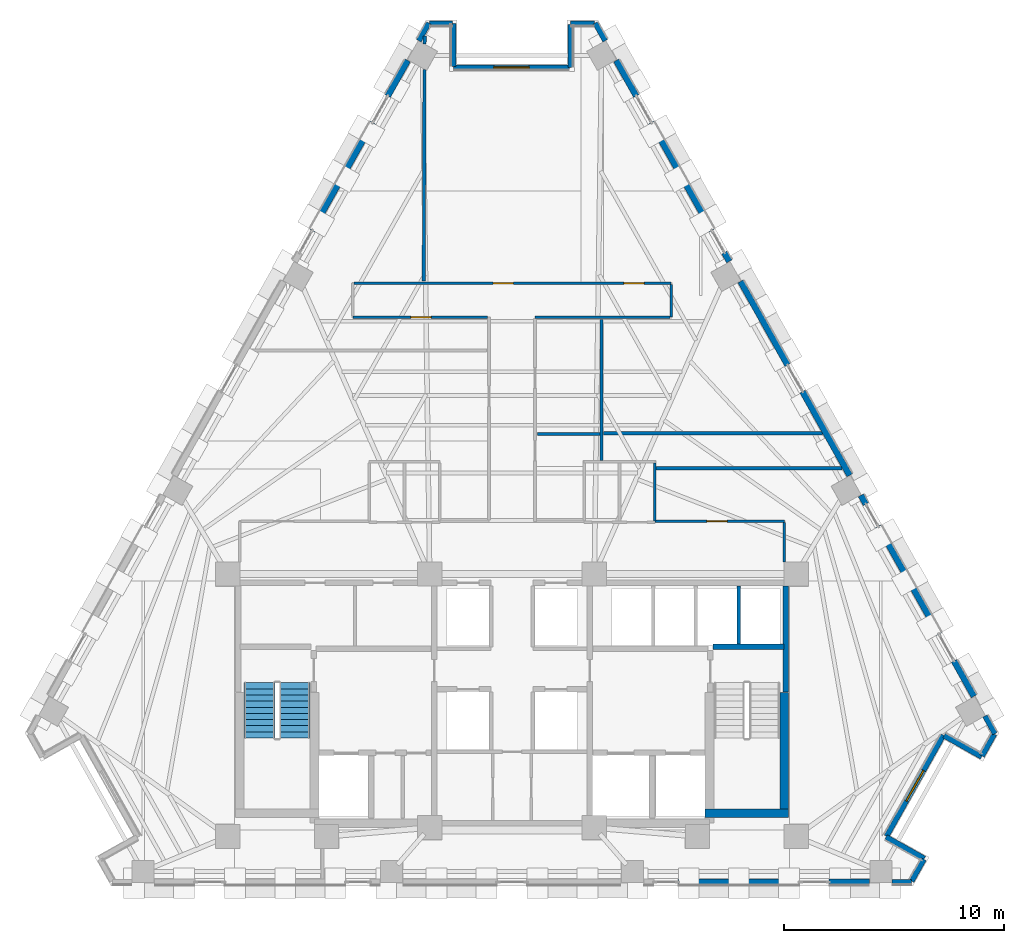
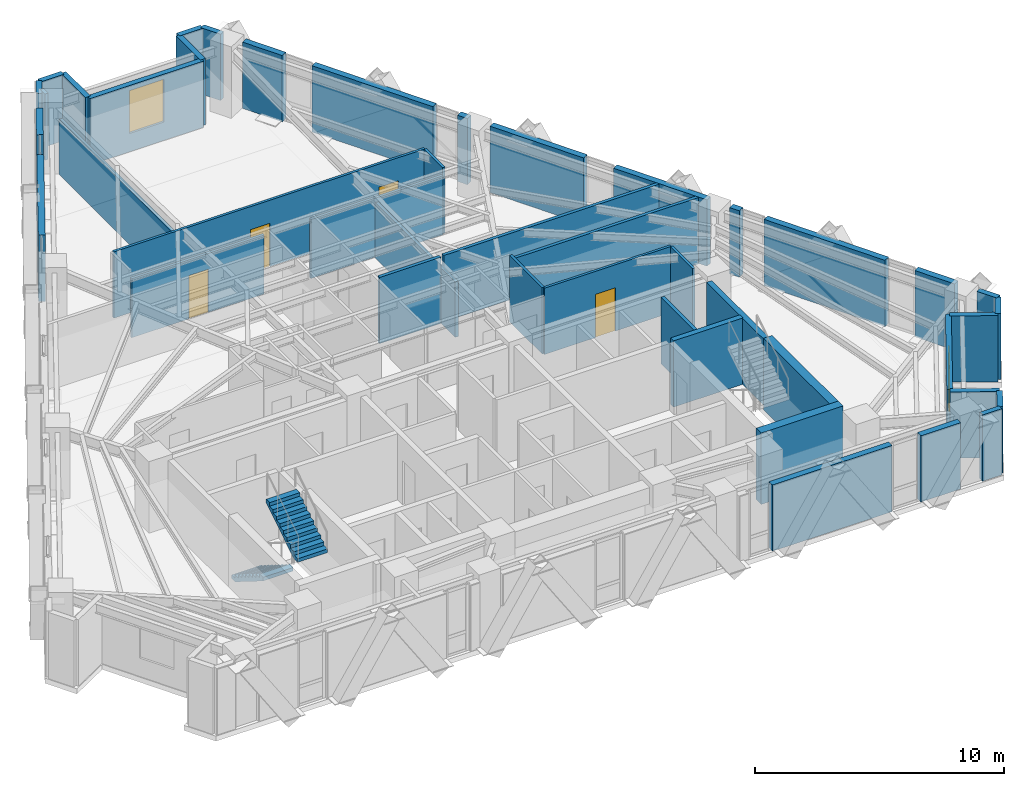
# One storey, part 9 of 14: 44 walls, 4 doors, 2 stair flights, 2 windows, 6 openings, 1 element without a shape of its own.
"""IFC4 building model written with IfcOpenShell, lengths in metres."""

import ifcopenshell
import ifcopenshell.guid

model = None  # the IFC model being written
_history = None  # IfcOwnerHistory: only IFC2X3 demands one
_inside = {}  # id of a spatial element -> (the spatial element, [elements in it])
_under = {}  # id of a project, library or spatial element -> (it, [spatial elements below it])
_declared = {}  # id of a project -> (the project, [libraries it declares])
_typed = {}  # id of a type object -> (the type object, [elements of that type])
_made_of = {}  # id of a material, layer set ... -> (it, [elements and type objects made of it])


def new_model(schema):
    """Start an empty IFC model of exactly this schema.

    Asked for "IFC4X3", IfcOpenShell would pick the latest addendum, in which some entities
    have other attributes; the version numbers below select the first issue.
    IFC2X3 requires an IfcOwnerHistory on every rooted entity: one is made here for all.
    """
    global model, _history
    if schema == "IFC4X3":
        model = ifcopenshell.file(schema_version=(4, 3, 0, 0))
    else:
        model = ifcopenshell.file(schema=schema)
    _inside.clear()
    _under.clear()
    _declared.clear()
    _typed.clear()
    _made_of.clear()
    _history = None
    if model.schema == "IFC2X3":
        org = make("IfcOrganization", Name="unknown")
        user = make(
            "IfcPersonAndOrganization",
            ThePerson=make("IfcPerson", FamilyName="unknown"),
            TheOrganization=org,
        )
        app = make(
            "IfcApplication",
            ApplicationDeveloper=org,
            Version="unknown",
            ApplicationFullName="unknown",
            ApplicationIdentifier="unknown",
        )
        _history = make(
            "IfcOwnerHistory",
            OwningUser=user,
            OwningApplication=app,
            ChangeAction="ADDED",
            CreationDate=0,
        )
    return model


def make(cls, **values):
    """One entity of the class cls with the attributes given. An attribute that is None is left unset."""
    return model.create_entity(
        cls, **{name: value for name, value in values.items() if value is not None}
    )


def rooted(cls, **values):
    """An entity with a GlobalId (a new one), such as an element, a storey or a relation."""
    return make(cls, GlobalId=ifcopenshell.guid.new(), OwnerHistory=_history, **values)


def si_unit(unit_type, name, prefix=None):
    """IfcSIUnit, for example si_unit("LENGTHUNIT", "METRE", prefix="MILLI")."""
    return make("IfcSIUnit", UnitType=unit_type, Prefix=prefix, Name=name)


def assignment(units):
    """IfcUnitAssignment: the units of a project."""
    return None if units is None else make("IfcUnitAssignment", Units=units)


def point(xyz):
    """IfcCartesianPoint."""
    return None if xyz is None else make("IfcCartesianPoint", Coordinates=xyz)


def direction(xyz):
    """IfcDirection."""
    return None if xyz is None else make("IfcDirection", DirectionRatios=xyz)


def frame(location, z_axis=None, x_axis=None):
    """IfcAxis2Placement3D, a coordinate frame: its origin and axes. An axis left out is left unset."""
    return make(
        "IfcAxis2Placement3D",
        Location=point(location),
        Axis=direction(z_axis),
        RefDirection=direction(x_axis),
    )


def frame_2d(location, x_axis=None):
    """IfcAxis2Placement2D, a coordinate frame in the plane: its origin and x axis."""
    return make(
        "IfcAxis2Placement2D", Location=point(location), RefDirection=direction(x_axis)
    )


def origin():
    """The frame at (0, 0, 0) with its axes left unset."""
    return frame((0.0, 0.0, 0.0))


def place(relative_to, where):
    """IfcLocalPlacement: puts the frame where relative to a parent placement (None: the world)."""
    return make(
        "IfcLocalPlacement", PlacementRelTo=relative_to, RelativePlacement=where
    )


def context(
    kind, dimensions, precision=None, world=None, true_north=None, identifier=None
):
    """IfcGeometricRepresentationContext, for example the 3D "Model" context."""
    return make(
        "IfcGeometricRepresentationContext",
        ContextIdentifier=identifier,
        ContextType=kind,
        CoordinateSpaceDimension=dimensions,
        Precision=precision,
        WorldCoordinateSystem=world,
        TrueNorth=true_north,
    )


def subcontext(parent, identifier, kind, view, scale=None):
    """IfcGeometricRepresentationSubContext, for example "Body" below "Model"."""
    return make(
        "IfcGeometricRepresentationSubContext",
        ContextIdentifier=identifier,
        ContextType=kind,
        ParentContext=parent,
        TargetScale=scale,
        TargetView=view,
    )


def project(units=None, contexts=None):
    """IfcProject with its units and contexts."""
    return rooted(
        "IfcProject",
        Name="project",
        RepresentationContexts=contexts,
        UnitsInContext=assignment(units),
    )


def spatial(cls, under=None, at=None, **own):
    """A site, building, storey or space (cls), placed at a placement, below another one or the project."""
    s = rooted(cls, ObjectPlacement=at, **own)
    if under is not None:
        _under.setdefault(under.id(), (under, []))[1].append(s)
    return s


def polyline(points):
    """IfcPolyline through the points."""
    return make("IfcPolyline", Points=[point(p) for p in points])


def profile(cls, at=None, kind="AREA", **sizes):
    """A parametric profile (cls). Its sizes go by their IFC names, for example OverallWidth=200.0."""
    return make(cls, ProfileType=kind, Position=at, **sizes)


def rectangle(**sizes):
    """IfcRectangleProfileDef."""
    return profile("IfcRectangleProfileDef", **sizes)


def outline(outer, holes=None, kind="AREA"):
    """IfcArbitraryClosedProfileDef: a profile drawn as a closed curve; with holes, ...WithVoids."""
    if holes is None:
        return make("IfcArbitraryClosedProfileDef", ProfileType=kind, OuterCurve=outer)
    return make(
        "IfcArbitraryProfileDefWithVoids",
        ProfileType=kind,
        OuterCurve=outer,
        InnerCurves=holes,
    )


def extrude(swept, where, along, depth):
    """IfcExtrudedAreaSolid: the profile swept, set in the frame where, extruded along a direction by depth."""
    return make(
        "IfcExtrudedAreaSolid",
        SweptArea=swept,
        Position=where,
        ExtrudedDirection=direction(along),
        Depth=depth,
    )


def shape(context_of_items, identifier, shape_type, items):
    """IfcShapeRepresentation: the items that make up one representation, for example the "Body"."""
    return make(
        "IfcShapeRepresentation",
        ContextOfItems=context_of_items,
        RepresentationIdentifier=identifier,
        RepresentationType=shape_type,
        Items=items,
    )


def material(Name=None, Category=None):
    """IfcMaterial."""
    return make("IfcMaterial", Name=Name, Category=Category)


def layer(
    of_material, thickness, ventilated=None, Name=None, Category=None, Priority=None
):
    """IfcMaterialLayer: one layer of a wall or slab, of a material (None: an air gap)."""
    return make(
        "IfcMaterialLayer",
        Material=of_material,
        LayerThickness=thickness,
        IsVentilated=ventilated,
        Name=Name,
        Category=Category,
        Priority=Priority,
    )


def layer_set(layers, Name=None):
    """IfcMaterialLayerSet."""
    return make("IfcMaterialLayerSet", MaterialLayers=layers, LayerSetName=Name)


def made_of(thing, what):
    """Note that an element or type object is made of a material, layer set ...; save() writes the relation."""
    if what is not None:
        _made_of.setdefault(what.id(), (what, []))[1].append(thing)
    return thing


def type_object(cls, material=None, **own):
    """A type object (cls), such as IfcWallType, which elements share."""
    return made_of(rooted(cls, **own), material)


def element(
    cls,
    number,
    at=None,
    inside=None,
    cuts=None,
    type_object=None,
    material=None,
    context=None,
    identifier="Body",
    shape_type=None,
    held_by="IfcProductDefinitionShape",
    body=None,
    shapes=None,
    **own,
):
    """One element of the class cls, such as IfcWall. Its Tag is "e" and its number.

    at: its placement. inside: the storey or other place that contains it. cuts: it is an
    opening in that element (IfcRelVoidsElement). A single representation is given by context,
    identifier, shape_type and body (its items); several are given by shapes. held_by: the class
    of the entity that holds the representations. save() writes the other relations.
    """
    e = rooted(cls, Tag="e%d" % number, ObjectPlacement=at, **own)
    if body is not None:
        shapes = [shape(context, identifier, shape_type, body)]
    if shapes is not None:
        e.Representation = make(held_by, Representations=shapes)
    if inside is not None:
        _inside.setdefault(inside.id(), (inside, []))[1].append(e)
    if cuts is not None:
        rooted(
            "IfcRelVoidsElement", RelatingBuildingElement=cuts, RelatedOpeningElement=e
        )
    if type_object is not None:
        _typed.setdefault(type_object.id(), (type_object, []))[1].append(e)
    return made_of(e, material)


def fill(opening, filler):
    """IfcRelFillsElement: the door or window that sits in an opening."""
    return rooted(
        "IfcRelFillsElement",
        RelatingOpeningElement=opening,
        RelatedBuildingElement=filler,
    )


def aggregate(whole, parts):
    """IfcRelAggregates: a whole, such as a stair, and the parts it consists of."""
    return rooted("IfcRelAggregates", RelatingObject=whole, RelatedObjects=parts)


def save(model, path):
    """Write the relations noted so far, then the file.

    IfcRelAggregates (storeys below a building ...), IfcRelContainedInSpatialStructure (elements
    in a storey), IfcRelDefinesByType, IfcRelAssociatesMaterial and IfcRelDeclares: one each for
    every whole, place, type object, material and project.
    """
    for whole, parts in _under.values():
        aggregate(whole, parts)
    for where, things in _inside.values():
        rooted(
            "IfcRelContainedInSpatialStructure",
            RelatedElements=things,
            RelatingStructure=where,
        )
    for kind, things in _typed.values():
        rooted("IfcRelDefinesByType", RelatedObjects=things, RelatingType=kind)
    for what, things in _made_of.values():
        rooted("IfcRelAssociatesMaterial", RelatedObjects=things, RelatingMaterial=what)
    for by, libraries in _declared.values():
        rooted("IfcRelDeclares", RelatingContext=by, RelatedDefinitions=libraries)
    model.write(path)


model = new_model("IFC4")

# Units and contexts
model_context = context("Model", 3, precision=1e-05, world=origin(), true_north=direction((0.0, 1.0)))
body_context = subcontext(model_context, "Body", "Model", "MODEL_VIEW")
ifc_project = project(units=[si_unit("LENGTHUNIT", "METRE"), si_unit("AREAUNIT", "SQUARE_METRE"), si_unit("VOLUMEUNIT", "CUBIC_METRE"), si_unit("PLANEANGLEUNIT", "RADIAN"), si_unit("MASSUNIT", "GRAM", prefix="KILO")], contexts=[model_context])

# Site, building, storey
site_placement = place(None, origin())
site = spatial("IfcSite", under=ifc_project, at=site_placement, CompositionType="ELEMENT")
building_placement = place(site_placement, origin())
building = spatial("IfcBuilding", under=site, at=building_placement, Name="Quenlor Broadcast Tower", CompositionType="ELEMENT")
storey_placement = place(building_placement, frame((0.0, 0.0, 168.5)))
storey = spatial("IfcBuildingStorey", under=building, at=storey_placement, Name="L46", CompositionType="ELEMENT", Elevation=168.5)

# Walls
ifc_material_1 = material(Name="Acoustic Double Stud Gypsum Partition", Category="other")
ifc_layer_1 = layer(ifc_material_1, 0.14990234375)
ifc_layer_set_1 = layer_set([ifc_layer_1], Name="Broadcast Studio Acoustic Partition 150")
wall_type_1 = type_object("IfcWallType", Name="Broadcast Studio Acoustic Partition 150", PredefinedType="PARTITIONING", material=ifc_layer_set_1)
wall_1_placement = place(storey_placement, frame((-4.019287109375, 8.56005859375, 0.0), z_axis=(0.0, 0.0, 1.0), x_axis=(0.003497279608, 0.999993884499, 0.0)))
element("IfcWall", 1, at=wall_1_placement, inside=storey, type_object=wall_type_1, Name="L46 Interior Wall PW-DV-01", PredefinedType="PARTITIONING", context=body_context, shape_type="SweptSolid", body=[
    extrude(rectangle(XDim=9.633544921875, YDim=0.14990234375, at=frame_2d((4.81689453125, 0.0))), origin(), (0.0, 0.0, 1.0), 2.717041015625),
])
wall_2_placement = place(storey_placement, frame((-3.981689453125, 19.343017578125, 0.0), z_axis=(0.0, 0.0, 1.0), x_axis=(0.003906220198, 0.999992370693, 0.0)))
element("IfcWall", 2, at=wall_2_placement, inside=storey, type_object=wall_type_1, Name="L46 Interior Wall PW-DV-01S2", PredefinedType="PARTITIONING", context=body_context, shape_type="SweptSolid", body=[
    extrude(rectangle(XDim=0.375, YDim=0.14990234375, at=frame_2d((0.1875, 0.0))), origin(), (0.0, 0.0, 1.0), 3.25),
])
wall_3_placement = place(storey_placement, frame((4.080078125, 0.3720703125, 0.0), z_axis=(0.0, 0.0, 1.0), x_axis=(0.0, 1.0, 0.0)))
element("IfcWall", 3, at=wall_3_placement, inside=storey, type_object=wall_type_1, Name="L46 Interior Wall PW-DV-03", PredefinedType="PARTITIONING", context=body_context, shape_type="SweptSolid", body=[
    extrude(rectangle(XDim=6.41796875, YDim=0.14990234375, at=frame_2d((3.208984375, 0.0))), origin(), (0.0, 0.0, 1.0), 2.717041015625),
])
wall_4_placement = place(storey_placement, frame((14.1376953125, 1.6201171875, 0.0), z_axis=(0.0, 0.0, 1.0), x_axis=(-1.0, 0.0, 0.0)))
element("IfcWall", 4, at=wall_4_placement, inside=storey, type_object=wall_type_1, Name="L46 Interior Wall PW-DV-04", PredefinedType="PARTITIONING", context=body_context, shape_type="SweptSolid", body=[
    extrude(rectangle(XDim=9.980712890625, YDim=0.14990234375, at=frame_2d((4.990234375, 0.0))), origin(), (0.0, 0.0, 1.0), 3.25),
])
wall_5_placement = place(storey_placement, frame((4.0029296875, 1.580078125, 0.0), z_axis=(0.0, 0.0, 1.0), x_axis=(-1.0, 0.0, 0.0)))
element("IfcWall", 5, at=wall_5_placement, inside=storey, type_object=wall_type_1, Name="L46 Interior Wall PW-DV-05", PredefinedType="PARTITIONING", context=body_context, shape_type="SweptSolid", body=[
    extrude(rectangle(XDim=2.843017578125, YDim=0.14990234375, at=frame_2d((1.42138671875, 0.0))), origin(), (0.0, 0.0, 1.0), 3.25),
])
wall_6_placement = place(storey_placement, frame((15.035400390625, 0.023681640625, 0.0), z_axis=(0.0, 0.0, 1.0), x_axis=(-1.0, 0.0, 0.0)))
element("IfcWall", 6, at=wall_6_placement, inside=storey, type_object=wall_type_1, Name="L46 Interior Wall PW-DV-06", PredefinedType="PARTITIONING", context=body_context, shape_type="SweptSolid", body=[
    extrude(rectangle(XDim=8.46533203125, YDim=0.14990234375, at=frame_2d((4.232666015625, 0.0))), origin(), (0.0, 0.0, 1.0), 3.25),
])
ifc_material_2 = material(Name="Concrete C50/60", Category="concrete")
ifc_layer_2 = layer(ifc_material_2, 0.39990234375)
ifc_layer_set_2 = layer_set([ifc_layer_2], Name="Core Concrete C50/60 Shear Wall 400")
wall_type_2 = type_object("IfcWallType", Name="Core Concrete C50/60 Shear Wall 400", PredefinedType="SHEAR", material=ifc_layer_set_2)
wall_7_placement = place(storey_placement, frame((8.800048828125, -15.699951171875, 0.0), z_axis=(0.0, 0.0, 1.0), x_axis=(1.0, 0.0, 0.0)))
element("IfcWall", 7, at=wall_7_placement, inside=storey, type_object=wall_type_2, Name="L46 Core Shear Wall WS-E2", PredefinedType="SHEAR", context=body_context, shape_type="SweptSolid", body=[
    extrude(rectangle(XDim=3.800048828125, YDim=0.39990234375, at=frame_2d((1.89990234375, 0.0))), origin(), (0.0, 0.0, 1.0), 3.5),
])
wall_8_placement = place(storey_placement, frame((12.39990234375, -15.699951171875, 0.0), z_axis=(0.0, 0.0, 1.0), x_axis=(0.0, 1.0, 0.0)))
element("IfcWall", 8, at=wall_8_placement, inside=storey, type_object=wall_type_2, Name="L46 Core Shear Wall WF-E", PredefinedType="SHEAR", context=body_context, shape_type="SweptSolid", body=[
    extrude(rectangle(XDim=5.5, YDim=0.39990234375, at=frame_2d((2.75, 0.0))), origin(), (0.0, 0.0, 1.0), 3.5),
])
ifc_material_3 = material(Name="Concrete C40/50", Category="concrete")
ifc_layer_3 = layer(ifc_material_3, 0.25)
ifc_layer_set_3 = layer_set([ifc_layer_3], Name="Fire Rated Concrete C40/50 Core Wall 250")
wall_type_3 = type_object("IfcWallType", Name="Fire Rated Concrete C40/50 Core Wall 250", PredefinedType="PARTITIONING", material=ifc_layer_set_3)
wall_9_placement = place(storey_placement, frame((9.159912109375, -8.1201171875, 0.0), z_axis=(0.0, 0.0, 1.0), x_axis=(1.0, 0.0, 0.0)))
element("IfcWall", 9, at=wall_9_placement, inside=storey, type_object=wall_type_3, Name="L46 Interior Wall CW-ST2-N", PredefinedType="PARTITIONING", context=body_context, shape_type="SweptSolid", body=[
    extrude(rectangle(XDim=3.219970703125, YDim=0.25, at=frame_2d((1.60986328125, 0.0))), origin(), (0.0, 0.0, 1.0), 3.25),
])
wall_10_placement = place(storey_placement, frame((12.47998046875, -10.179931640625, 0.0), z_axis=(0.0, 0.0, 1.0), x_axis=(0.0, 1.0, 0.0)))
element("IfcWall", 10, at=wall_10_placement, inside=storey, type_object=wall_type_3, Name="L46 Interior Wall CW-ST2-E2", PredefinedType="PARTITIONING", context=body_context, shape_type="SweptSolid", body=[
    extrude(rectangle(XDim=4.827880859375, YDim=0.25, at=frame_2d((2.4140625, 0.0))), origin(), (0.0, 0.0, 1.0), 3.25),
])
ifc_material_4 = material(Name="Gypsum Fireboard Partition", Category="other")
ifc_layer_4 = layer(ifc_material_4, 0.159912109375)
ifc_layer_set_4 = layer_set([ifc_layer_4], Name="Fire Rated Shaft and Corridor Partition 160")
wall_type_4 = type_object("IfcWallType", Name="Fire Rated Shaft and Corridor Partition 160", PredefinedType="PARTITIONING", material=ifc_layer_set_4)
wall_11_placement = place(storey_placement, frame((10.324951171875, -7.992919921875, 0.0), z_axis=(0.0, 0.0, 1.0), x_axis=(0.0, 1.0, 0.0)))
element("IfcWall", 11, at=wall_11_placement, inside=storey, type_object=wall_type_4, Name="L46 Interior Wall CW-PLH-D3", PredefinedType="PARTITIONING", context=body_context, shape_type="SweptSolid", body=[
    extrude(rectangle(XDim=2.65283203125, YDim=0.159912109375, at=frame_2d((1.326416015625, 0.0))), origin(), (0.0, 0.0, 1.0), 3.25),
])
ifc_material_5 = material(Name="Gypsum Plasterboard Partition", Category="other")
ifc_layer_5 = layer(ifc_material_5, 0.1201171875)
ifc_layer_set_5 = layer_set([ifc_layer_5], Name="Standard Office Partition 120")
wall_type_5 = type_object("IfcWallType", Name="Standard Office Partition 120", PredefinedType="PARTITIONING", material=ifc_layer_set_5)
wall_12_placement = place(storey_placement, frame((6.510009765625, -2.3779296875, 0.0), z_axis=(0.0, 0.0, 1.0), x_axis=(0.0, 1.0, 0.0)))
element("IfcWall", 12, at=wall_12_placement, inside=storey, type_object=wall_type_5, Name="L46 Interior Wall PW-WCE-E", PredefinedType="PARTITIONING", context=body_context, shape_type="SweptSolid", body=[
    extrude(rectangle(XDim=2.6259765625, YDim=0.1201171875, at=frame_2d((1.31298828125, 0.0))), origin(), (0.0, 0.0, 1.0), 3.25),
])

# Wall, opening, door
wall_13_placement = place(storey_placement, frame((-1.112060546875, 6.89990234375, 0.0), z_axis=(0.0, 0.0, 1.0), x_axis=(-1.0, 0.0, 0.0)))
wall_13 = element("IfcWall", 13, at=wall_13_placement, inside=storey, type_object=wall_type_5, Name="L46 Interior Wall PW-CR-04", PredefinedType="PARTITIONING", context=body_context, shape_type="SweptSolid", body=[
    extrude(rectangle(XDim=6.137939453125, YDim=0.1201171875, at=frame_2d((3.06884765625, 0.0))), origin(), (0.0, 0.0, 1.0), 2.891357421875),
])
opening_1_placement = place(wall_13_placement, frame((2.577880859375, 0.0, 0.0)))
opening_1 = element("IfcOpeningElement", 14, at=opening_1_placement, cuts=wall_13, Name="Opening ID-1", PredefinedType="OPENING", context=body_context, shape_type="SweptSolid", body=[
    extrude(rectangle(XDim=0.919921875, YDim=2.1201171875, at=frame_2d((0.4599609375, 1.06005859375))), frame((0.0, 0.070068359375, 0.0), z_axis=(0.0, -1.0, 0.0), x_axis=(1.0, 0.0, 0.0)), (0.0, 0.0, 1.0), 0.14013671875),
])
ifc_material_6 = material(Name="Solid Core Timber Oak", Category="wood")
door_type = type_object("IfcDoorType", Name="Single Leaf Timber Office Door 920x2120", OperationType="NOTDEFINED", PredefinedType="DOOR", material=ifc_material_6)
door_1_placement = place(opening_1_placement, origin())
door_1 = element("IfcDoor", 15, at=door_1_placement, inside=storey, type_object=door_type, Name="L46 Door DR-RM02", OperationType="SINGLE_SWING_LEFT", OverallHeight=2.1201171875, OverallWidth=0.919921875, PredefinedType="DOOR", context=body_context, shape_type="SweptSolid", body=[
    extrude(rectangle(XDim=0.919921875, YDim=2.1201171875, at=frame_2d((0.4599609375, 1.06005859375))), frame((0.0, 0.02490234375, 0.0), z_axis=(0.0, -1.0, 0.0), x_axis=(1.0, 0.0, 0.0)), (0.0, 0.0, 1.0), 0.050048828125),
])
fill(opening_1, door_1)

# Wall, openings, doors
wall_14_placement = place(storey_placement, frame((-7.18798828125, 8.449951171875, 0.0), z_axis=(0.0, 0.0, 1.0), x_axis=(1.0, 0.0, 0.0)))
wall_14 = element("IfcWall", 16, at=wall_14_placement, inside=storey, type_object=wall_type_5, Name="L46 Interior Wall PW-CR-06", PredefinedType="PARTITIONING", context=body_context, shape_type="SweptSolid", body=[
    extrude(rectangle(XDim=14.43798828125, YDim=0.1201171875, at=frame_2d((7.218994140625, 0.0))), origin(), (0.0, 0.0, 1.0), 3.25),
])
opening_2_placement = place(wall_14_placement, frame((6.327880859375, 0.0, 0.0)))
opening_2 = element("IfcOpeningElement", 17, at=opening_2_placement, cuts=wall_14, Name="Opening ID-1", PredefinedType="OPENING", context=body_context, shape_type="SweptSolid", body=[
    extrude(rectangle(XDim=0.919921875, YDim=2.1201171875, at=frame_2d((0.4599609375, 1.06005859375))), frame((0.0, 0.070068359375, 0.0), z_axis=(0.0, -1.0, 0.0), x_axis=(1.0, 0.0, 0.0)), (0.0, 0.0, 1.0), 0.14013671875),
])
opening_3_placement = place(wall_14_placement, frame((12.283935546875, 0.0, 0.0)))
opening_3 = element("IfcOpeningElement", 18, at=opening_3_placement, cuts=wall_14, Name="Opening ID-1", PredefinedType="OPENING", context=body_context, shape_type="SweptSolid", body=[
    extrude(rectangle(XDim=0.919921875, YDim=2.1201171875, at=frame_2d((0.4599609375, 1.06005859375))), frame((0.0, 0.070068359375, 0.0), z_axis=(0.0, -1.0, 0.0), x_axis=(1.0, 0.0, 0.0)), (0.0, 0.0, 1.0), 0.14013671875),
])
door_2_placement = place(opening_2_placement, origin())
door_2 = element("IfcDoor", 19, at=door_2_placement, inside=storey, type_object=door_type, Name="L46 Door DR-RM01", OperationType="SINGLE_SWING_RIGHT", OverallHeight=2.1201171875, OverallWidth=0.919921875, PredefinedType="DOOR", context=body_context, shape_type="SweptSolid", body=[
    extrude(rectangle(XDim=0.919921875, YDim=2.1201171875, at=frame_2d((0.4599609375, 1.06005859375))), frame((0.0, 0.02490234375, 0.0), z_axis=(0.0, -1.0, 0.0), x_axis=(1.0, 0.0, 0.0)), (0.0, 0.0, 1.0), 0.050048828125),
])
fill(opening_2, door_2)
door_3_placement = place(opening_3_placement, origin())
door_3 = element("IfcDoor", 20, at=door_3_placement, inside=storey, type_object=door_type, Name="L46 Door DR-RM03", OperationType="SINGLE_SWING_RIGHT", OverallHeight=2.1201171875, OverallWidth=0.919921875, PredefinedType="DOOR", context=body_context, shape_type="SweptSolid", body=[
    extrude(rectangle(XDim=0.919921875, YDim=2.1201171875, at=frame_2d((0.4599609375, 1.06005859375))), frame((0.0, 0.02490234375, 0.0), z_axis=(0.0, -1.0, 0.0), x_axis=(1.0, 0.0, 0.0)), (0.0, 0.0, 1.0), 0.050048828125),
])
fill(opening_3, door_3)

# Walls
wall_15_placement = place(storey_placement, frame((7.25, 8.387939453125, 0.0), z_axis=(0.0, 0.0, 1.0), x_axis=(0.0, -1.0, 0.0)))
element("IfcWall", 21, at=wall_15_placement, inside=storey, type_object=wall_type_5, Name="L46 Interior Wall PW-CR-07", PredefinedType="PARTITIONING", context=body_context, shape_type="SweptSolid", body=[
    extrude(rectangle(XDim=1.488037109375, YDim=0.1201171875, at=frame_2d((0.744140625, 0.0))), origin(), (0.0, 0.0, 1.0), 3.25),
])
wall_16_placement = place(storey_placement, frame((7.18798828125, 6.89990234375, 0.0), z_axis=(0.0, 0.0, 1.0), x_axis=(-1.0, 0.0, 0.0)))
element("IfcWall", 22, at=wall_16_placement, inside=storey, type_object=wall_type_5, Name="L46 Interior Wall PW-CR-08", PredefinedType="PARTITIONING", context=body_context, shape_type="SweptSolid", body=[
    extrude(rectangle(XDim=6.137939453125, YDim=0.1201171875, at=frame_2d((3.06884765625, 0.0))), origin(), (0.0, 0.0, 1.0), 2.891357421875),
])

# Wall, opening, door
wall_17_placement = place(storey_placement, frame((6.511962890625, -2.39990234375, 0.0), z_axis=(0.0, 0.0, 1.0), x_axis=(1.0, 0.0, 0.0)))
wall_17 = element("IfcWall", 23, at=wall_17_placement, inside=storey, type_object=wall_type_5, Name="L46 Interior Wall PW-CR-10S2", PredefinedType="PARTITIONING", context=body_context, shape_type="SweptSolid", body=[
    extrude(rectangle(XDim=5.89794921875, YDim=0.1201171875, at=frame_2d((2.948974609375, 0.0))), origin(), (0.0, 0.0, 1.0), 3.25),
])
opening_4_placement = place(wall_17_placement, frame((2.368896484375, 0.0, 0.0)))
opening_4 = element("IfcOpeningElement", 24, at=opening_4_placement, cuts=wall_17, Name="Opening ID-1", PredefinedType="OPENING", context=body_context, shape_type="SweptSolid", body=[
    extrude(rectangle(XDim=0.919921875, YDim=2.1201171875, at=frame_2d((0.4599609375, 1.06005859375))), frame((0.0, 0.070068359375, 0.0), z_axis=(0.0, -1.0, 0.0), x_axis=(1.0, 0.0, 0.0)), (0.0, 0.0, 1.0), 0.14013671875),
])
door_4_placement = place(opening_4_placement, origin())
door_4 = element("IfcDoor", 25, at=door_4_placement, inside=storey, type_object=door_type, Name="L46 Door DR-RM08", OperationType="SINGLE_SWING_LEFT", OverallHeight=2.1201171875, OverallWidth=0.919921875, PredefinedType="DOOR", context=body_context, shape_type="SweptSolid", body=[
    extrude(rectangle(XDim=0.919921875, YDim=2.1201171875, at=frame_2d((0.4599609375, 1.06005859375))), frame((0.0, 0.02490234375, 0.0), z_axis=(0.0, -1.0, 0.0), x_axis=(1.0, 0.0, 0.0)), (0.0, 0.0, 1.0), 0.050048828125),
])
fill(opening_4, door_4)

# Walls
wall_18_placement = place(storey_placement, frame((12.409912109375, -2.4619140625, 0.0), z_axis=(0.0, 0.0, 1.0), x_axis=(0.0, -1.0, 0.0)))
element("IfcWall", 26, at=wall_18_placement, inside=storey, type_object=wall_type_5, Name="L46 Interior Wall PW-CR-11", PredefinedType="PARTITIONING", context=body_context, shape_type="SweptSolid", body=[
    extrude(rectangle(XDim=1.7861328125, YDim=0.1201171875, at=frame_2d((0.89306640625, 0.0))), origin(), (0.0, 0.0, 1.0), 3.25),
])
ifc_material_7 = material(Name="Precast concrete C40/50", Category="concrete")
ifc_layer_6 = layer(ifc_material_7, 0.239990234375)
ifc_layer_set_6 = layer_set([ifc_layer_6], Name="Terrace Threshold Precast Concrete C40/50 Wall 240")
wall_type_6 = type_object("IfcWallType", Name="Terrace Threshold Precast Concrete C40/50 Wall 240", PredefinedType="STANDARD", material=ifc_layer_set_6)
wall_19_placement = place(storey_placement, frame((18.2099609375, -18.824951171875, 0.0), z_axis=(0.0, 0.0, 1.0), x_axis=(-1.0, 0.0, 0.0)))
element("IfcWall", 27, at=wall_19_placement, inside=storey, type_object=wall_type_6, Name="L46 Exterior Wall L46-SHD-SS0", PredefinedType="STANDARD", context=body_context, shape_type="SweptSolid", body=[
    extrude(rectangle(XDim=0.896484375, YDim=0.239990234375, at=frame_2d((0.4482421875, 0.0))), origin(), (0.0, 0.0, 1.0), 3.25),
])
wall_20_placement = place(storey_placement, frame((3.7919921875, 20.302001953125, 0.0), z_axis=(0.0, 0.0, 1.0), x_axis=(0.490048346303, -0.871695255399, 0.0)))
element("IfcWall", 28, at=wall_20_placement, inside=storey, type_object=wall_type_6, Name="L46 Exterior Wall L46-SHD-NES0", PredefinedType="STANDARD", context=body_context, shape_type="SweptSolid", body=[
    extrude(rectangle(XDim=0.925537109375, YDim=0.239990234375, at=frame_2d((0.462890625, 0.0))), origin(), (0.0, 0.0, 1.0), 3.25),
])
wall_21_placement = place(storey_placement, frame((21.54931640625, -11.2666015625, 0.0), z_axis=(0.0, 0.0, 1.0), x_axis=(0.490248718924, -0.871582579905, 0.0)))
element("IfcWall", 29, at=wall_21_placement, inside=storey, type_object=wall_type_6, Name="L46 Exterior Wall L46-SHD-NES1", PredefinedType="STANDARD", context=body_context, shape_type="SweptSolid", body=[
    extrude(rectangle(XDim=0.92578125, YDim=0.239990234375, at=frame_2d((0.462890625, 0.0))), origin(), (0.0, 0.0, 1.0), 3.25),
])
wall_22_placement = place(storey_placement, frame((-4.24560546875, 19.4951171875, 0.0), z_axis=(0.0, 0.0, 1.0), x_axis=(0.490048346303, 0.871695255399, 0.0)))
element("IfcWall", 30, at=wall_22_placement, inside=storey, type_object=wall_type_6, Name="L46 Exterior Wall L46-SHD-NWS1", PredefinedType="STANDARD", context=body_context, shape_type="SweptSolid", body=[
    extrude(rectangle(XDim=0.925537109375, YDim=0.239990234375, at=frame_2d((0.462890625, 0.0))), origin(), (0.0, 0.0, 1.0), 3.25),
])
wall_23_placement = place(storey_placement, frame((18.783935546875, -17.760009765625, 0.0), z_axis=(0.0, 0.0, 1.0), x_axis=(-0.871536415941, 0.49033078191, 0.0)))
element("IfcWall", 31, at=wall_23_placement, inside=storey, type_object=wall_type_6, Name="L46 Exterior Wall L46-CNR-01", PredefinedType="STANDARD", context=body_context, shape_type="SweptSolid", body=[
    extrude(rectangle(XDim=2.0, YDim=0.239990234375, at=frame_2d((1.0, 0.0))), origin(), (0.0, 0.0, 1.0), 3.25),
])

# Wall, opening, window
wall_24_placement = place(storey_placement, frame((17.060302734375, -16.744384765625, 0.0), z_axis=(0.0, 0.0, 1.0), x_axis=(0.490276606961, 0.871566892824, 0.0)))
wall_24 = element("IfcWall", 32, at=wall_24_placement, inside=storey, type_object=wall_type_6, Name="L46 Exterior Wall L46-CNR-02", PredefinedType="STANDARD", context=body_context, shape_type="SweptSolid", body=[
    extrude(rectangle(XDim=5.280029296875, YDim=0.239990234375, at=frame_2d((2.64013671875, 0.0))), origin(), (0.0, 0.0, 1.0), 3.25),
])
opening_5_placement = place(wall_24_placement, frame((1.840087890625, 0.0, 0.89990234375)))
opening_5 = element("IfcOpeningElement", 33, at=opening_5_placement, cuts=wall_24, Name="Opening WN-2", PredefinedType="OPENING", context=body_context, shape_type="SweptSolid", body=[
    extrude(rectangle(XDim=1.60009765625, YDim=2.10009765625, at=frame_2d((0.800048828125, 1.050048828125))), frame((0.0, 0.1298828125, 0.0), z_axis=(0.0, -1.0, 0.0), x_axis=(1.0, 0.0, 0.0)), (0.0, 0.0, 1.0), 0.260009765625),
])
ifc_material_8 = material(Name="Thermally Broken Aluminium and Low-E Glass", Category="aluminium")
window_type = type_object("IfcWindowType", Name="Tower Studio Punched Window 1600x2100", PartitioningType="SINGLE_PANEL", PredefinedType="WINDOW", material=ifc_material_8)
window_1_placement = place(opening_5_placement, origin())
window_1 = element("IfcWindow", 34, at=window_1_placement, inside=storey, type_object=window_type, Name="L46 Corner Chamfer Window 2", OverallHeight=2.10009765625, OverallWidth=1.60009765625, PartitioningType="SINGLE_PANEL", PredefinedType="WINDOW", context=body_context, shape_type="SweptSolid", body=[
    extrude(rectangle(XDim=1.60009765625, YDim=2.10009765625, at=frame_2d((0.800048828125, 1.050048828125))), frame((0.0, 0.030029296875, 0.0), z_axis=(0.0, -1.0, 0.0), x_axis=(1.0, 0.0, 0.0)), (0.0, 0.0, 1.0), 0.06005859375),
])
fill(opening_5, window_1)

# Walls
wall_25_placement = place(storey_placement, frame((19.683837890625, -12.162109375, 0.0), z_axis=(0.0, 0.0, 1.0), x_axis=(0.871512328312, -0.490373593906, 0.0)))
element("IfcWall", 35, at=wall_25_placement, inside=storey, type_object=wall_type_6, Name="L46 Exterior Wall L46-CNR-03", PredefinedType="STANDARD", context=body_context, shape_type="SweptSolid", body=[
    extrude(rectangle(XDim=1.960205078125, YDim=0.239990234375, at=frame_2d((0.97998046875, 0.0))), origin(), (0.0, 0.0, 1.0), 3.25),
])
wall_26_placement = place(storey_placement, frame((21.411865234375, -13.08837890625, 0.0), z_axis=(0.0, 0.0, 1.0), x_axis=(0.4900989379, 0.871666811958, 0.0)))
element("IfcWall", 36, at=wall_26_placement, inside=storey, type_object=wall_type_6, Name="L46 Exterior Wall L46-CNR-04", PredefinedType="STANDARD", context=body_context, shape_type="SweptSolid", body=[
    extrude(rectangle(XDim=1.142822265625, YDim=0.239990234375, at=frame_2d((0.5712890625, 0.0))), origin(), (0.0, 0.0, 1.0), 3.25),
])
wall_27_placement = place(storey_placement, frame((3.761474609375, 20.280029296875, 0.0), z_axis=(0.0, 0.0, 1.0), x_axis=(-1.0, 0.0, 0.0)))
element("IfcWall", 37, at=wall_27_placement, inside=storey, type_object=wall_type_6, Name="L46 Exterior Wall L46-CNR-06", PredefinedType="STANDARD", context=body_context, shape_type="SweptSolid", body=[
    extrude(rectangle(XDim=1.1015625, YDim=0.239990234375, at=frame_2d((0.55078125, 0.0))), origin(), (0.0, 0.0, 1.0), 3.25),
])
wall_28_placement = place(storey_placement, frame((2.659912109375, 20.239990234375, 0.0), z_axis=(0.0, 0.0, 1.0), x_axis=(0.0, -1.0, 0.0)))
element("IfcWall", 38, at=wall_28_placement, inside=storey, type_object=wall_type_6, Name="L46 Exterior Wall L46-CNR-07", PredefinedType="STANDARD", context=body_context, shape_type="SweptSolid", body=[
    extrude(rectangle(XDim=1.9599609375, YDim=0.239990234375, at=frame_2d((0.97998046875, 0.0))), origin(), (0.0, 0.0, 1.0), 3.25),
])

# Wall, opening, window
wall_29_placement = place(storey_placement, frame((2.6201171875, 18.280029296875, 0.0), z_axis=(0.0, 0.0, 1.0), x_axis=(-1.0, 0.0, 0.0)))
wall_29 = element("IfcWall", 39, at=wall_29_placement, inside=storey, type_object=wall_type_6, Name="L46 Exterior Wall L46-CNR-08", PredefinedType="STANDARD", context=body_context, shape_type="SweptSolid", body=[
    extrude(rectangle(XDim=5.280029296875, YDim=0.239990234375, at=frame_2d((2.64013671875, 0.0))), origin(), (0.0, 0.0, 1.0), 3.25),
])
opening_6_placement = place(wall_29_placement, frame((1.840087890625, 0.0, 0.89990234375)))
opening_6 = element("IfcOpeningElement", 40, at=opening_6_placement, cuts=wall_29, Name="Opening WN-2", PredefinedType="OPENING", context=body_context, shape_type="SweptSolid", body=[
    extrude(rectangle(XDim=1.60009765625, YDim=2.10009765625, at=frame_2d((0.800048828125, 1.050048828125))), frame((0.0, 0.1298828125, 0.0), z_axis=(0.0, -1.0, 0.0), x_axis=(1.0, 0.0, 0.0)), (0.0, 0.0, 1.0), 0.260009765625),
])
window_2_placement = place(opening_6_placement, origin())
window_2 = element("IfcWindow", 41, at=window_2_placement, inside=storey, type_object=window_type, Name="L46 Corner Chamfer Window 8", OverallHeight=2.10009765625, OverallWidth=1.60009765625, PartitioningType="SINGLE_PANEL", PredefinedType="WINDOW", context=body_context, shape_type="SweptSolid", body=[
    extrude(rectangle(XDim=1.60009765625, YDim=2.10009765625, at=frame_2d((0.800048828125, 1.050048828125))), frame((0.0, 0.030029296875, 0.0), z_axis=(0.0, -1.0, 0.0), x_axis=(1.0, 0.0, 0.0)), (0.0, 0.0, 1.0), 0.06005859375),
])
fill(opening_6, window_2)

# Walls
wall_30_placement = place(storey_placement, frame((-2.659912109375, 18.320068359375, 0.0), z_axis=(0.0, 0.0, 1.0), x_axis=(0.0, 1.0, 0.0)))
element("IfcWall", 42, at=wall_30_placement, inside=storey, type_object=wall_type_6, Name="L46 Exterior Wall L46-CNR-09", PredefinedType="STANDARD", context=body_context, shape_type="SweptSolid", body=[
    extrude(rectangle(XDim=1.9599609375, YDim=0.239990234375, at=frame_2d((0.97998046875, 0.0))), origin(), (0.0, 0.0, 1.0), 3.25),
])
wall_31_placement = place(storey_placement, frame((-2.699951171875, 20.280029296875, 0.0), z_axis=(0.0, 0.0, 1.0), x_axis=(-1.0, 0.0, 0.0)))
element("IfcWall", 43, at=wall_31_placement, inside=storey, type_object=wall_type_6, Name="L46 Exterior Wall L46-CNR-10", PredefinedType="STANDARD", context=body_context, shape_type="SweptSolid", body=[
    extrude(rectangle(XDim=1.0615234375, YDim=0.239990234375, at=frame_2d((0.53076171875, 0.0))), origin(), (0.0, 0.0, 1.0), 3.25),
])
wall_32_placement = place(storey_placement, frame((18.205810546875, -18.78759765625, 0.0), z_axis=(0.0, 0.0, 1.0), x_axis=(0.490403700594, 0.871495387506, 0.0)))
element("IfcWall", 44, at=wall_32_placement, inside=storey, type_object=wall_type_6, Name="L46 Exterior Wall L46-CNR-18", PredefinedType="STANDARD", context=body_context, shape_type="SweptSolid", body=[
    extrude(rectangle(XDim=1.13916015625, YDim=0.239990234375, at=frame_2d((0.569580078125, 0.0))), origin(), (0.0, 0.0, 1.0), 3.25),
])
ifc_material_9 = material(Name="Precast concrete C40/50", Category="concrete")
ifc_layer_7 = layer(ifc_material_9, 0.280029296875)
ifc_layer_set_7 = layer_set([ifc_layer_7], Name="Terracotta Precast Concrete C40/50 Facade Wall 280")
wall_type_7 = type_object("IfcWallType", Name="Terracotta Precast Concrete C40/50 Facade Wall 280", PredefinedType="STANDARD", material=ifc_layer_set_7)
wall_33_placement = place(storey_placement, frame((16.283447265625, -18.824951171875, 0.0), z_axis=(0.0, 0.0, 1.0), x_axis=(-1.0, 0.0, 0.0)))
element("IfcWall", 45, at=wall_33_placement, inside=storey, type_object=wall_type_7, Name="L46 Exterior Wall L46-SA-SP1", PredefinedType="STANDARD", context=body_context, shape_type="SweptSolid", body=[
    extrude(rectangle(XDim=1.83837890625, YDim=0.280029296875, at=frame_2d((0.919189453125, 0.0))), origin(), (0.0, 0.0, 1.0), 3.25),
])
wall_34_placement = place(storey_placement, frame((13.10693359375, -18.824951171875, 0.0), z_axis=(0.0, 0.0, 1.0), x_axis=(-1.0, 0.0, 0.0)))
element("IfcWall", 46, at=wall_34_placement, inside=storey, type_object=wall_type_7, Name="L46 Exterior Wall L46-SA-SP2", PredefinedType="STANDARD", context=body_context, shape_type="SweptSolid", body=[
    extrude(rectangle(XDim=5.550048828125, YDim=0.280029296875, at=frame_2d((2.77490234375, 0.0))), origin(), (0.0, 0.0, 1.0), 3.25),
])
wall_35_placement = place(storey_placement, frame((4.750732421875, 18.597412109375, 0.0), z_axis=(0.0, 0.0, 1.0), x_axis=(0.490248749158, -0.871582562899, 0.0)))
element("IfcWall", 47, at=wall_35_placement, inside=storey, type_object=wall_type_7, Name="L46 Exterior Wall L46-NEA-SP1", PredefinedType="STANDARD", context=body_context, shape_type="SweptSolid", body=[
    extrude(rectangle(XDim=1.85595703125, YDim=0.280029296875, at=frame_2d((0.927978515625, 0.0))), origin(), (0.0, 0.0, 1.0), 3.25),
])
wall_36_placement = place(storey_placement, frame((6.342041015625, 15.768310546875, 0.0), z_axis=(0.0, 0.0, 1.0), x_axis=(0.490289995219, -0.871559361483, 0.0)))
element("IfcWall", 48, at=wall_36_placement, inside=storey, type_object=wall_type_7, Name="L46 Exterior Wall L46-NEA-SP2", PredefinedType="STANDARD", context=body_context, shape_type="SweptSolid", body=[
    extrude(rectangle(XDim=5.643310546875, YDim=0.280029296875, at=frame_2d((2.82177734375, 0.0))), origin(), (0.0, 0.0, 1.0), 3.25),
])
for number, where, z_axis, x_axis, name in (
    (49, (9.674072265625, 9.8447265625, 0.0), (0.0, 0.0, 1.0), (0.490412424957, -0.871490478116, 0.0), "L46 Exterior Wall L46-NEA-SP3"),
    (50, (15.8955078125, -1.21533203125, 0.0), (0.0, 0.0, 1.0), (0.490009165718, -0.871717280724, 0.0), "L46 Exterior Wall L46-NEC-SP1"),
):
    element("IfcWall", number, at=place(storey_placement, frame(where, z_axis=z_axis, x_axis=x_axis)), inside=storey, type_object=wall_type_7, Name=name, PredefinedType="STANDARD", context=body_context, shape_type="SweptSolid", body=[
        extrude(rectangle(XDim=0.4599609375, YDim=0.280029296875, at=frame_2d((0.22998046875, 0.0))), origin(), (0.0, 0.0, 1.0), 3.25),
    ])
wall_37_placement = place(storey_placement, frame((16.686279296875, -2.621337890625, 0.0), z_axis=(0.0, 0.0, 1.0), x_axis=(0.490238645956, -0.871588245682, 0.0)))
element("IfcWall", 51, at=wall_37_placement, inside=storey, type_object=wall_type_7, Name="L46 Exterior Wall L46-NEC-SP2", PredefinedType="STANDARD", context=body_context, shape_type="SweptSolid", body=[
    extrude(rectangle(XDim=5.643310546875, YDim=0.280029296875, at=frame_2d((2.82177734375, 0.0))), origin(), (0.0, 0.0, 1.0), 3.25),
])
wall_38_placement = place(storey_placement, frame((20.13427734375, -8.751220703125, 0.0), z_axis=(0.0, 0.0, 1.0), x_axis=(0.490248749158, -0.871582562899, 0.0)))
element("IfcWall", 52, at=wall_38_placement, inside=storey, type_object=wall_type_7, Name="L46 Exterior Wall L46-NEC-SP3", PredefinedType="STANDARD", context=body_context, shape_type="SweptSolid", body=[
    extrude(rectangle(XDim=1.85595703125, YDim=0.280029296875, at=frame_2d((0.927978515625, 0.0))), origin(), (0.0, 0.0, 1.0), 3.25),
])
wall_39_placement = place(storey_placement, frame((10.411865234375, 8.532958984375, 0.0), z_axis=(0.0, 0.0, 1.0), x_axis=(0.490274486291, -0.871568085747, 0.0)))
element("IfcWall", 53, at=wall_39_placement, inside=storey, type_object=wall_type_7, Name="L46 Exterior Wall L46-NE-SP1", PredefinedType="STANDARD", context=body_context, shape_type="SweptSolid", body=[
    extrude(rectangle(XDim=4.375244140625, YDim=0.280029296875, at=frame_2d((2.1875, 0.0))), origin(), (0.0, 0.0, 1.0), 3.25),
])
wall_40_placement = place(storey_placement, frame((13.23828125, 3.508544921875, 0.0), z_axis=(0.0, 0.0, 1.0), x_axis=(0.490232095789, -0.871591929895, 0.0)))
element("IfcWall", 54, at=wall_40_placement, inside=storey, type_object=wall_type_7, Name="L46 Exterior Wall L46-NE-SP2", PredefinedType="STANDARD", context=body_context, shape_type="SweptSolid", body=[
    extrude(rectangle(XDim=4.375, YDim=0.280029296875, at=frame_2d((2.1875, 0.0))), origin(), (0.0, 0.0, 1.0), 3.25),
])
wall_41_placement = place(storey_placement, frame((-9.10888671875, 10.849853515625, 0.0), z_axis=(0.0, 0.0, 1.0), x_axis=(0.490289995219, 0.871559361483, 0.0)))
element("IfcWall", 55, at=wall_41_placement, inside=storey, type_object=wall_type_7, Name="L46 Exterior Wall L46-NWC-SP2", PredefinedType="STANDARD", context=body_context, shape_type="SweptSolid", body=[
    extrude(rectangle(XDim=5.643310546875, YDim=0.280029296875, at=frame_2d((2.82177734375, 0.0))), origin(), (0.0, 0.0, 1.0), 3.25),
])
wall_42_placement = place(storey_placement, frame((-5.66064453125, 16.979736328125, 0.0), z_axis=(0.0, 0.0, 1.0), x_axis=(0.490248749158, 0.871582562899, 0.0)))
element("IfcWall", 56, at=wall_42_placement, inside=storey, type_object=wall_type_7, Name="L46 Exterior Wall L46-NWC-SP3", PredefinedType="STANDARD", context=body_context, shape_type="SweptSolid", body=[
    extrude(rectangle(XDim=1.85595703125, YDim=0.280029296875, at=frame_2d((0.927978515625, 0.0))), origin(), (0.0, 0.0, 1.0), 3.25),
])

# Stair, stair flights
ifc_material_10 = material(Name="Precast concrete C40/50", Category="concrete")
stair_type = type_object("IfcStairType", Name="Precast Concrete C40/50 Dogleg Stair H350", PredefinedType="HALF_TURN_STAIR", material=ifc_material_10)
stair_placement = place(storey_placement, origin())
stair = element("IfcStair", 57, at=stair_placement, inside=storey, type_object=stair_type, Name="L46 West Core Fire-Isolated Exit Stair ST-1", PredefinedType="HALF_TURN_STAIR")
ifc_material_11 = material(Name="Precast concrete C40/50", Category="concrete")
ifc_layer_8 = layer(ifc_material_11, 0.159912109375)
ifc_layer_set_8 = layer_set([ifc_layer_8], Name="Precast Concrete C40/50 Stair Flight H350")
stair_flight_type = type_object("IfcStairFlightType", Name="Precast Concrete C40/50 Stair Flight H350", PredefinedType="STRAIGHT", material=ifc_layer_set_8)
stair_flight_1_placement = place(storey_placement, frame((-11.5, -9.75, 0.0), z_axis=(0.0, 0.0, 1.0), x_axis=(0.0, -1.0, 0.0)))
stair_flight_1 = element("IfcStairFlight", 58, at=stair_flight_1_placement, type_object=stair_flight_type, Name="ST-1 flight 1", NumberOfRisers=10, NumberOfTreads=9, PredefinedType="STRAIGHT", RiserHeight=0.175, TreadLength=0.28, context=body_context, shape_type="SweptSolid", body=[
    extrude(outline(polyline([(0.0, 0.0), (0.0, 0.175048828125), (0.280029296875, 0.175048828125), (0.280029296875, 0.35009765625), (0.56005859375, 0.35009765625), (0.56005859375, 0.52490234375), (0.840087890625, 0.52490234375), (0.840087890625, 0.699951171875), (1.1201171875, 0.699951171875), (1.1201171875, 0.875), (1.39990234375, 0.875), (1.39990234375, 1.050048828125), (1.679931640625, 1.050048828125), (1.679931640625, 1.22509765625), (1.9599609375, 1.22509765625), (1.9599609375, 1.39990234375), (2.239990234375, 1.39990234375), (2.239990234375, 1.574951171875), (2.52001953125, 1.574951171875), (2.52001953125, 1.75), (2.52001953125, 1.398193359375), (0.28271484375, 0.0), (0.0, 0.0)])), frame((0.0, 0.699951171875, 0.0), z_axis=(0.0, -1.0, 0.0), x_axis=(1.0, 0.0, 0.0)), (0.0, 0.0, 1.0), 1.39990234375),
])
stair_flight_2_placement = place(storey_placement, frame((-9.89990234375, -12.27001953125, 1.75), z_axis=(0.0, 0.0, 1.0), x_axis=(0.0, 1.0, 0.0)))
stair_flight_2 = element("IfcStairFlight", 59, at=stair_flight_2_placement, type_object=stair_flight_type, Name="ST-1 flight 2", NumberOfRisers=10, NumberOfTreads=9, PredefinedType="STRAIGHT", RiserHeight=0.175, TreadLength=0.28, context=body_context, shape_type="SweptSolid", body=[
    extrude(outline(polyline([(0.0, 0.0), (0.0, 0.175048828125), (0.280029296875, 0.175048828125), (0.280029296875, 0.35009765625), (0.56005859375, 0.35009765625), (0.56005859375, 0.52490234375), (0.840087890625, 0.52490234375), (0.840087890625, 0.699951171875), (1.1201171875, 0.699951171875), (1.1201171875, 0.875), (1.39990234375, 0.875), (1.39990234375, 1.050048828125), (1.679931640625, 1.050048828125), (1.679931640625, 1.22509765625), (1.9599609375, 1.22509765625), (1.9599609375, 1.39990234375), (2.239990234375, 1.39990234375), (2.239990234375, 1.574951171875), (2.52001953125, 1.574951171875), (2.52001953125, 1.75), (2.52001953125, 1.398193359375), (0.28271484375, 0.0), (0.0, 0.0)])), frame((0.0, 0.699951171875, 0.0), z_axis=(0.0, -1.0, 0.0), x_axis=(1.0, 0.0, 0.0)), (0.0, 0.0, 1.0), 1.39990234375),
])
aggregate(stair, [stair_flight_1, stair_flight_2])

save(model, "model.ifc")
